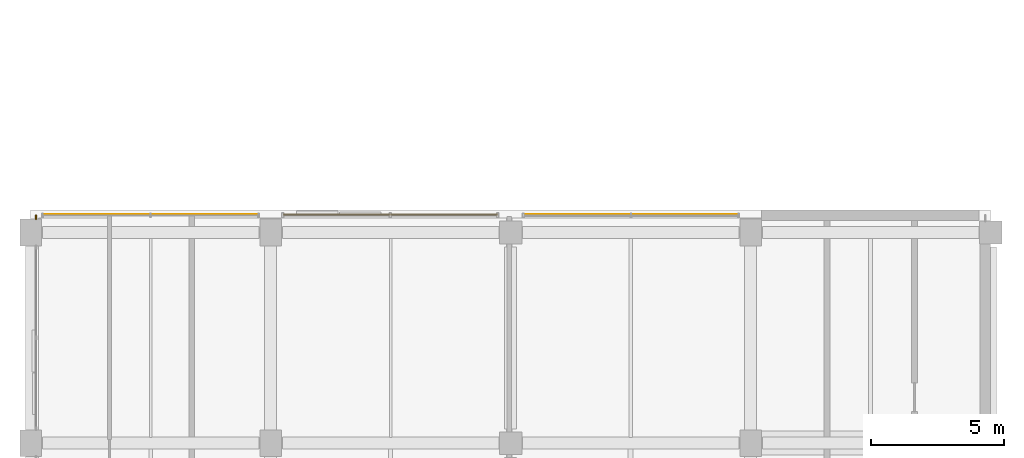
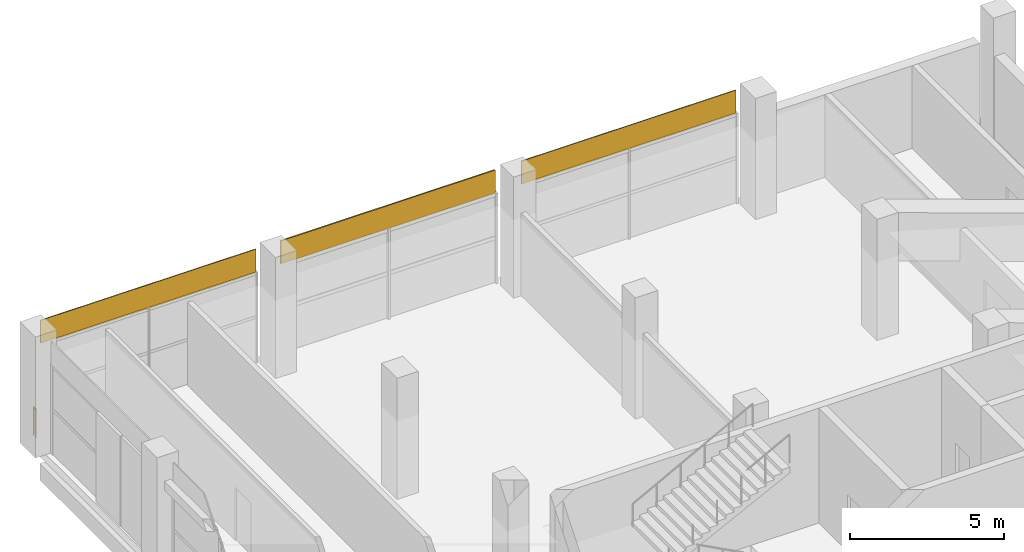
# One storey, part 63 of 66: 3 coverings, 1 railing.
"""IFC4 building model written with IfcOpenShell, lengths in metres."""

from ifc_helpers import new_model, si_unit, direction, frame, origin, origin_2d, place, context, subcontext, project, spatial, rectangle, circle, extrude, material, layer, layer_set, type_object, element, save


model = new_model("IFC4")

# Units and contexts
model_context = context("Model", 3, precision=1e-05, world=origin(), true_north=direction((0.0, 1.0)))
body_context = subcontext(model_context, "Body", "Model", "MODEL_VIEW")
ifc_project = project(units=[si_unit("LENGTHUNIT", "METRE"), si_unit("AREAUNIT", "SQUARE_METRE"), si_unit("VOLUMEUNIT", "CUBIC_METRE"), si_unit("PLANEANGLEUNIT", "RADIAN"), si_unit("MASSUNIT", "GRAM", prefix="KILO"), si_unit("THERMODYNAMICTEMPERATUREUNIT", "KELVIN"), si_unit("POWERUNIT", "WATT")], contexts=[model_context])

# Site, building, storey
site_placement = place(None, origin())
site = spatial("IfcSite", under=ifc_project, at=site_placement, CompositionType="ELEMENT")
building_placement = place(site_placement, origin())
building = spatial("IfcBuilding", under=site, at=building_placement, Name="Sindhuravela Promenade Stadium", CompositionType="ELEMENT")
storey_placement = place(building_placement, frame((0.0, 0.0, 19.199951171875)))
storey = spatial("IfcBuildingStorey", under=building, at=storey_placement, Name="L04", CompositionType="ELEMENT", Elevation=19.199951171875)

# Coverings
ifc_material_1 = material(Name="Polychrome trencadis ceramic mosaic", Category="masonry")
ifc_layer_1 = layer(ifc_material_1, 0.034912109375)
ifc_layer_set_1 = layer_set([ifc_layer_1], Name="Polychrome trencadis ceramic mosaic")
covering_type_1 = type_object("IfcCoveringType", Name="CV-TRENC-1", PredefinedType="CLADDING", material=ifc_layer_set_1)
covering_1_placement = place(storey_placement, frame((4.5, 125.570068359375, 3.55517578125), z_axis=(0.0, 0.0, 1.0), x_axis=(1.0, 0.0, 0.0)))
element("IfcCovering", 1, at=covering_1_placement, inside=storey, type_object=covering_type_1, Name="Trencadis ceramic mosaic spandrel frieze WEST L04-112", PredefinedType="CLADDING", context=body_context, shape_type="SweptSolid", body=[
    extrude(rectangle(XDim=8.070068359375, YDim=0.034912109375, at=origin_2d()), origin(), (0.0, 0.0, 1.0), 0.905029296875),
])
covering_2_placement = place(storey_placement, frame((22.512451171875, 125.570068359375, 3.55517578125), z_axis=(0.0, 0.0, 1.0), x_axis=(1.0, 0.0, 0.0)))
element("IfcCovering", 2, at=covering_2_placement, inside=storey, type_object=covering_type_1, Name="Trencadis ceramic mosaic spandrel frieze WEST L04-114", PredefinedType="CLADDING", context=body_context, shape_type="SweptSolid", body=[
    extrude(rectangle(XDim=8.044921875, YDim=0.034912109375, at=origin_2d()), origin(), (0.0, 0.0, 1.0), 0.905029296875),
])
ifc_layer_2 = layer(ifc_material_1, 0.050048828125)
ifc_layer_set_2 = layer_set([ifc_layer_2], Name="Polychrome trencadis ceramic mosaic")
covering_type_2 = type_object("IfcCoveringType", Name="CV-TRENC-2", PredefinedType="CLADDING", material=ifc_layer_set_2)
covering_3_placement = place(storey_placement, frame((13.487548828125, 125.570068359375, 3.55517578125), z_axis=(0.0, 0.0, 1.0), x_axis=(1.0, 0.0, 0.0)))
element("IfcCovering", 3, at=covering_3_placement, inside=storey, type_object=covering_type_2, Name="Trencadis ceramic mosaic spandrel frieze WEST L04-113", PredefinedType="CLADDING", context=body_context, shape_type="SweptSolid", body=[
    extrude(rectangle(XDim=8.044921875, YDim=0.050048828125, at=origin_2d()), origin(), (0.0, 0.0, 1.0), 0.905029296875),
])

# Railing
ifc_material_2 = material(Name="Architectural wrought steel E350", Category="steel")
railing_type = type_object("IfcRailingType", Name="RL-GRD-1150", PredefinedType="GUARDRAIL", material=ifc_material_2)
railing_placement = place(storey_placement, frame((0.199951171875, 125.405029296875, 0.0)))
element("IfcRailing", 4, at=railing_placement, inside=storey, type_object=railing_type, Name="Perimeter edge return guard WEST L04", PredefinedType="GUARDRAIL", context=body_context, shape_type="SweptSolid", body=[
    extrude(circle(Radius=0.02392578125, at=origin_2d()), frame((0.0, 0.0, 1.1259765625), z_axis=(0.0, 1.0, 0.0), x_axis=(-1.0, 0.0, 0.0)), (0.0, 0.0, 1.0), 0.14501953125),
    extrude(circle(Radius=0.02099609375, at=origin_2d()), origin(), (0.0, 0.0, 1.0), 1.101806640625),
    extrude(circle(Radius=0.02099609375, at=origin_2d()), frame((0.0, 0.14501953125, 0.0)), (0.0, 0.0, 1.0), 1.101806640625),
])

save(model, "model.ifc")
